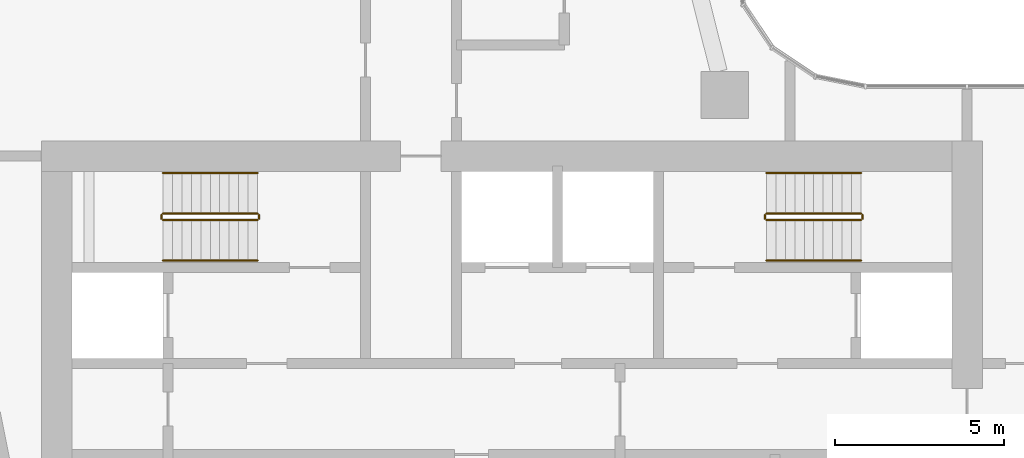
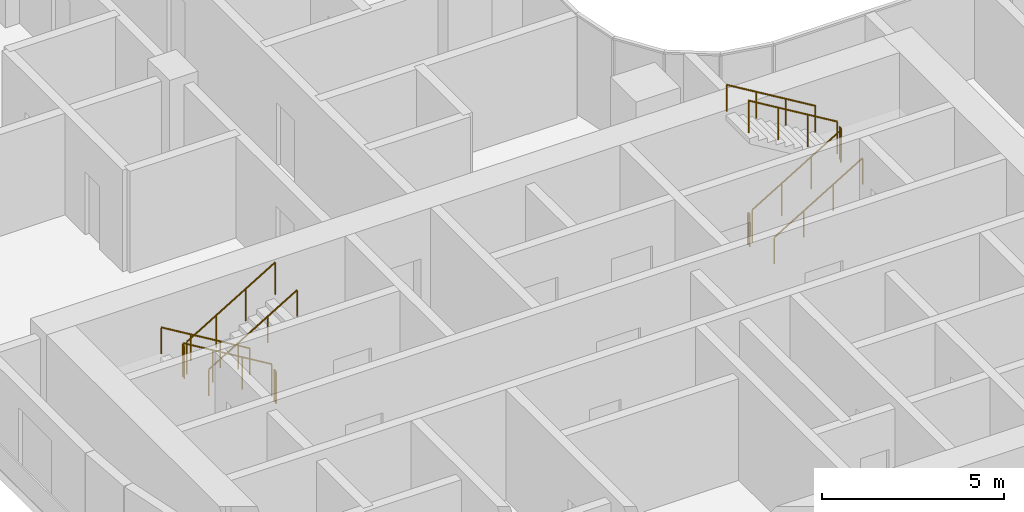
# One storey, part 27 of 32: 12 railings.
"""IFC4 building model written with IfcOpenShell, lengths in metres."""

from ifc_helpers import new_model, si_unit, direction, frame, origin, origin_2d, place, context, subcontext, project, spatial, circle, extrude, material, type_object, element, save


model = new_model("IFC4")

# Units and contexts
model_context = context("Model", 3, precision=1e-05, world=origin(), true_north=direction((0.0, 1.0)))
body_context = subcontext(model_context, "Body", "Model", "MODEL_VIEW")
ifc_project = project(units=[si_unit("LENGTHUNIT", "METRE"), si_unit("AREAUNIT", "SQUARE_METRE"), si_unit("VOLUMEUNIT", "CUBIC_METRE"), si_unit("PLANEANGLEUNIT", "RADIAN"), si_unit("MASSUNIT", "GRAM", prefix="KILO")], contexts=[model_context])

# Site, building, storey
site_placement = place(None, origin())
site = spatial("IfcSite", under=ifc_project, at=site_placement, CompositionType="ELEMENT")
building_placement = place(site_placement, origin())
building = spatial("IfcBuilding", under=site, at=building_placement, Name="Ogive Portal Towers", CompositionType="ELEMENT")
storey_placement = place(building_placement, frame((0.0, 0.0, 59.39990234375)))
storey = spatial("IfcBuildingStorey", under=building, at=storey_placement, Name="L13", CompositionType="ELEMENT", Elevation=59.39990234375)

# Railings
ifc_material_1 = material(Name="Stainless steel balustrade", Category="steel")
railing_type_1 = type_object("IfcRailingType", Name="INT-GUARD", PredefinedType="GUARDRAIL", material=ifc_material_1)
railing_1_placement = place(storey_placement, frame((37.449951171875, 37.800048828125, 0.168212890625)))
element("IfcRailing", 1, at=railing_1_placement, inside=storey, type_object=railing_type_1, Name="L13 ST-A1 stair guard 1", PredefinedType="GUARDRAIL", context=body_context, shape_type="SweptSolid", body=[
    extrude(circle(Radius=0.02392578125, at=origin_2d()), frame((0.0, 0.0, 1.076171875), z_axis=(-0.857242210791, 0.0, 0.514913383045), x_axis=(0.0, -1.0, 0.0)), (0.0, 0.0, 1.0), 3.266357421875),
    extrude(circle(Radius=0.02099609375, at=origin_2d()), origin(), (0.0, 0.0, 1.0), 1.052001953125),
    extrude(circle(Radius=0.02099609375, at=origin_2d()), frame((-0.933349609375, 0.0, 0.560546875)), (0.0, 0.0, 1.0), 1.052001953125),
    extrude(circle(Radius=0.02099609375, at=origin_2d()), frame((-1.86669921875, 0.0, 1.121337890625)), (0.0, 0.0, 1.0), 1.052001953125),
    extrude(circle(Radius=0.02099609375, at=origin_2d()), frame((-2.800048828125, 0.0, 1.681884765625)), (0.0, 0.0, 1.0), 1.052001953125),
])
railing_2_placement = place(storey_placement, frame((34.60009765625, 37.75, 1.85009765625)))
element("IfcRailing", 2, at=railing_2_placement, inside=storey, type_object=railing_type_1, Name="L13 ST-A1 stair guard 2", PredefinedType="GUARDRAIL", context=body_context, shape_type="SweptSolid", body=[
    extrude(circle(Radius=0.02392578125, at=origin_2d()), frame((0.0, 0.0, 1.076171875), z_axis=(0.0, -1.0, 0.0), x_axis=(1.0, 0.0, 0.0)), (0.0, 0.0, 1.0), 0.10009765625),
    extrude(circle(Radius=0.02099609375, at=origin_2d()), origin(), (0.0, 0.0, 1.0), 1.052001953125),
    extrude(circle(Radius=0.02099609375, at=origin_2d()), frame((0.0, -0.10009765625, 0.0)), (0.0, 0.0, 1.0), 1.052001953125),
])
railing_3_placement = place(storey_placement, frame((34.64990234375, 37.60009765625, 2.018310546875)))
element("IfcRailing", 3, at=railing_3_placement, inside=storey, type_object=railing_type_1, Name="L13 ST-A1 stair guard 3", PredefinedType="GUARDRAIL", context=body_context, shape_type="SweptSolid", body=[
    extrude(circle(Radius=0.02392578125, at=origin_2d()), frame((0.0, 0.0, 1.076171875), z_axis=(0.857242210791, 0.0, 0.514913383045), x_axis=(0.0, 1.0, 0.0)), (0.0, 0.0, 1.0), 3.266357421875),
    extrude(circle(Radius=0.02099609375, at=origin_2d()), origin(), (0.0, 0.0, 1.0), 1.052001953125),
    extrude(circle(Radius=0.02099609375, at=origin_2d()), frame((0.933349609375, 0.0, 0.560546875)), (0.0, 0.0, 1.0), 1.052001953125),
    extrude(circle(Radius=0.02099609375, at=origin_2d()), frame((1.86669921875, 0.0, 1.121337890625)), (0.0, 0.0, 1.0), 1.052001953125),
    extrude(circle(Radius=0.02099609375, at=origin_2d()), frame((2.800048828125, 0.0, 1.681884765625)), (0.0, 0.0, 1.0), 1.052001953125),
])
railing_4_placement = place(storey_placement, frame((37.5, 37.75, 0.0)))
element("IfcRailing", 4, at=railing_4_placement, inside=storey, type_object=railing_type_1, Name="L13 ST-A1 stair guard 4", PredefinedType="GUARDRAIL", context=body_context, shape_type="SweptSolid", body=[
    extrude(circle(Radius=0.02392578125, at=origin_2d()), frame((0.0, 0.0, 1.076171875), z_axis=(0.0, -1.0, 0.0), x_axis=(1.0, 0.0, 0.0)), (0.0, 0.0, 1.0), 0.10009765625),
    extrude(circle(Radius=0.02099609375, at=origin_2d()), origin(), (0.0, 0.0, 1.0), 1.052001953125),
    extrude(circle(Radius=0.02099609375, at=origin_2d()), frame((0.0, -0.10009765625, 0.0)), (0.0, 0.0, 1.0), 1.052001953125),
])
railing_5_placement = place(storey_placement, frame((52.550048828125, 37.60009765625, 0.168212890625)))
element("IfcRailing", 5, at=railing_5_placement, inside=storey, type_object=railing_type_1, Name="L13 ST-A2 stair guard 1", PredefinedType="GUARDRAIL", context=body_context, shape_type="SweptSolid", body=[
    extrude(circle(Radius=0.02392578125, at=origin_2d()), frame((0.0, 0.0, 1.076171875), z_axis=(0.857242210791, 0.0, 0.514913383045), x_axis=(0.0, 1.0, 0.0)), (0.0, 0.0, 1.0), 3.266357421875),
    extrude(circle(Radius=0.02099609375, at=origin_2d()), origin(), (0.0, 0.0, 1.0), 1.052001953125),
    extrude(circle(Radius=0.02099609375, at=origin_2d()), frame((0.933349609375, 0.0, 0.560546875)), (0.0, 0.0, 1.0), 1.052001953125),
    extrude(circle(Radius=0.02099609375, at=origin_2d()), frame((1.86669921875, 0.0, 1.121337890625)), (0.0, 0.0, 1.0), 1.052001953125),
    extrude(circle(Radius=0.02099609375, at=origin_2d()), frame((2.800048828125, 0.0, 1.681884765625)), (0.0, 0.0, 1.0), 1.052001953125),
])
railing_6_placement = place(storey_placement, frame((55.39990234375, 37.64990234375, 1.85009765625)))
element("IfcRailing", 6, at=railing_6_placement, inside=storey, type_object=railing_type_1, Name="L13 ST-A2 stair guard 2", PredefinedType="GUARDRAIL", context=body_context, shape_type="SweptSolid", body=[
    extrude(circle(Radius=0.02392578125, at=origin_2d()), frame((0.0, 0.0, 1.076171875), z_axis=(0.0, 1.0, 0.0), x_axis=(-1.0, 0.0, 0.0)), (0.0, 0.0, 1.0), 0.10009765625),
    extrude(circle(Radius=0.02099609375, at=origin_2d()), origin(), (0.0, 0.0, 1.0), 1.052001953125),
    extrude(circle(Radius=0.02099609375, at=origin_2d()), frame((0.0, 0.10009765625, 0.0)), (0.0, 0.0, 1.0), 1.052001953125),
])
railing_7_placement = place(storey_placement, frame((55.35009765625, 37.800048828125, 2.018310546875)))
element("IfcRailing", 7, at=railing_7_placement, inside=storey, type_object=railing_type_1, Name="L13 ST-A2 stair guard 3", PredefinedType="GUARDRAIL", context=body_context, shape_type="SweptSolid", body=[
    extrude(circle(Radius=0.02392578125, at=origin_2d()), frame((0.0, 0.0, 1.076171875), z_axis=(-0.857242210791, 0.0, 0.514913383045), x_axis=(0.0, -1.0, 0.0)), (0.0, 0.0, 1.0), 3.266357421875),
    extrude(circle(Radius=0.02099609375, at=origin_2d()), origin(), (0.0, 0.0, 1.0), 1.052001953125),
    extrude(circle(Radius=0.02099609375, at=origin_2d()), frame((-0.933349609375, 0.0, 0.560546875)), (0.0, 0.0, 1.0), 1.052001953125),
    extrude(circle(Radius=0.02099609375, at=origin_2d()), frame((-1.86669921875, 0.0, 1.121337890625)), (0.0, 0.0, 1.0), 1.052001953125),
    extrude(circle(Radius=0.02099609375, at=origin_2d()), frame((-2.800048828125, 0.0, 1.681884765625)), (0.0, 0.0, 1.0), 1.052001953125),
])
railing_8_placement = place(storey_placement, frame((52.5, 37.64990234375, 0.0)))
element("IfcRailing", 8, at=railing_8_placement, inside=storey, type_object=railing_type_1, Name="L13 ST-A2 stair guard 4", PredefinedType="GUARDRAIL", context=body_context, shape_type="SweptSolid", body=[
    extrude(circle(Radius=0.02392578125, at=origin_2d()), frame((0.0, 0.0, 1.076171875), z_axis=(0.0, 1.0, 0.0), x_axis=(-1.0, 0.0, 0.0)), (0.0, 0.0, 1.0), 0.10009765625),
    extrude(circle(Radius=0.02099609375, at=origin_2d()), origin(), (0.0, 0.0, 1.0), 1.052001953125),
    extrude(circle(Radius=0.02099609375, at=origin_2d()), frame((0.0, 0.10009765625, 0.0)), (0.0, 0.0, 1.0), 1.052001953125),
])
ifc_material_2 = material(Name="Stainless steel handrail", Category="steel")
railing_type_2 = type_object("IfcRailingType", Name="INT-HANDRAIL", PredefinedType="HANDRAIL", material=ifc_material_2)
railing_9_placement = place(storey_placement, frame((37.449951171875, 39.0, 0.168212890625)))
element("IfcRailing", 9, at=railing_9_placement, inside=storey, type_object=railing_type_2, Name="L13 ST-A1 stair handrail 1", PredefinedType="HANDRAIL", context=body_context, shape_type="SweptSolid", body=[
    extrude(circle(Radius=0.02392578125, at=origin_2d()), frame((0.0, 0.0, 0.8759765625), z_axis=(-0.857242210791, 0.0, 0.514913383045), x_axis=(0.0, -1.0, 0.0)), (0.0, 0.0, 1.0), 3.266357421875),
    extrude(circle(Radius=0.02099609375, at=origin_2d()), origin(), (0.0, 0.0, 1.0), 0.851806640625),
    extrude(circle(Radius=0.02099609375, at=origin_2d()), frame((-0.933349609375, 0.0, 0.560546875)), (0.0, 0.0, 1.0), 0.851806640625),
    extrude(circle(Radius=0.02099609375, at=origin_2d()), frame((-1.86669921875, 0.0, 1.121337890625)), (0.0, 0.0, 1.0), 0.851806640625),
    extrude(circle(Radius=0.02099609375, at=origin_2d()), frame((-2.800048828125, 0.0, 1.681884765625)), (0.0, 0.0, 1.0), 0.851806640625),
])
for number, where, name in (
    (10, (34.64990234375, 36.39990234375, 2.018310546875), "L13 ST-A1 stair handrail 2"),
    (11, (52.550048828125, 36.39990234375, 0.168212890625), "L13 ST-A2 stair handrail 1"),
):
    element("IfcRailing", number, at=place(storey_placement, frame(where)), inside=storey, type_object=railing_type_2, Name=name, PredefinedType="HANDRAIL", context=body_context, shape_type="SweptSolid", body=[
        extrude(circle(Radius=0.02392578125, at=origin_2d()), frame((0.0, 0.0, 0.8759765625), z_axis=(0.857242210791, 0.0, 0.514913383045), x_axis=(0.0, 1.0, 0.0)), (0.0, 0.0, 1.0), 3.266357421875),
        extrude(circle(Radius=0.02099609375, at=origin_2d()), origin(), (0.0, 0.0, 1.0), 0.851806640625),
        extrude(circle(Radius=0.02099609375, at=origin_2d()), frame((0.933349609375, 0.0, 0.560546875)), (0.0, 0.0, 1.0), 0.851806640625),
        extrude(circle(Radius=0.02099609375, at=origin_2d()), frame((1.86669921875, 0.0, 1.121337890625)), (0.0, 0.0, 1.0), 0.851806640625),
        extrude(circle(Radius=0.02099609375, at=origin_2d()), frame((2.800048828125, 0.0, 1.681884765625)), (0.0, 0.0, 1.0), 0.851806640625),
    ])
railing_10_placement = place(storey_placement, frame((55.35009765625, 39.0, 2.018310546875)))
element("IfcRailing", 12, at=railing_10_placement, inside=storey, type_object=railing_type_2, Name="L13 ST-A2 stair handrail 2", PredefinedType="HANDRAIL", context=body_context, shape_type="SweptSolid", body=[
    extrude(circle(Radius=0.02392578125, at=origin_2d()), frame((0.0, 0.0, 0.8759765625), z_axis=(-0.857242210791, 0.0, 0.514913383045), x_axis=(0.0, -1.0, 0.0)), (0.0, 0.0, 1.0), 3.266357421875),
    extrude(circle(Radius=0.02099609375, at=origin_2d()), origin(), (0.0, 0.0, 1.0), 0.851806640625),
    extrude(circle(Radius=0.02099609375, at=origin_2d()), frame((-0.933349609375, 0.0, 0.560546875)), (0.0, 0.0, 1.0), 0.851806640625),
    extrude(circle(Radius=0.02099609375, at=origin_2d()), frame((-1.86669921875, 0.0, 1.121337890625)), (0.0, 0.0, 1.0), 0.851806640625),
    extrude(circle(Radius=0.02099609375, at=origin_2d()), frame((-2.800048828125, 0.0, 1.681884765625)), (0.0, 0.0, 1.0), 0.851806640625),
])

save(model, "model.ifc")
